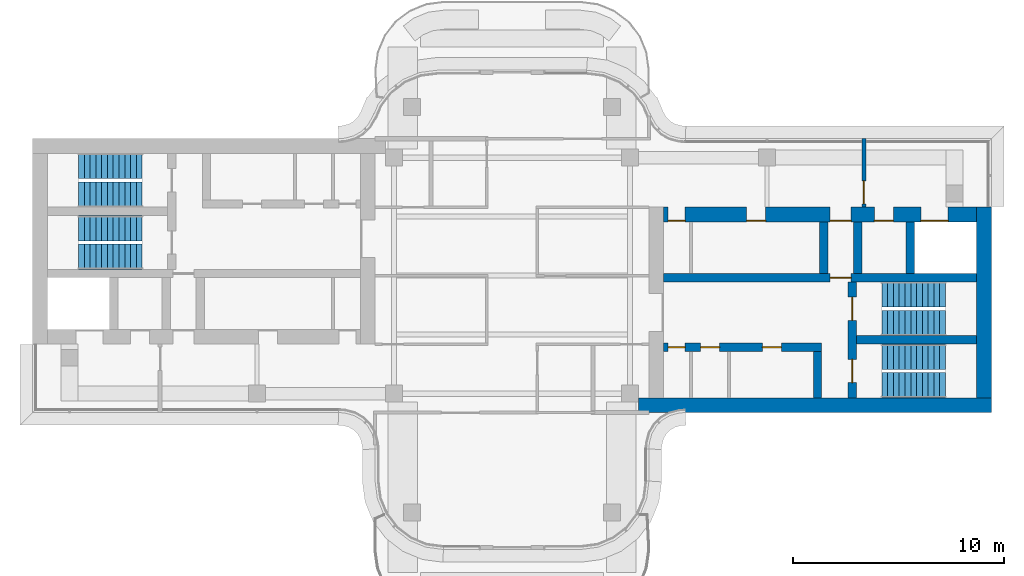
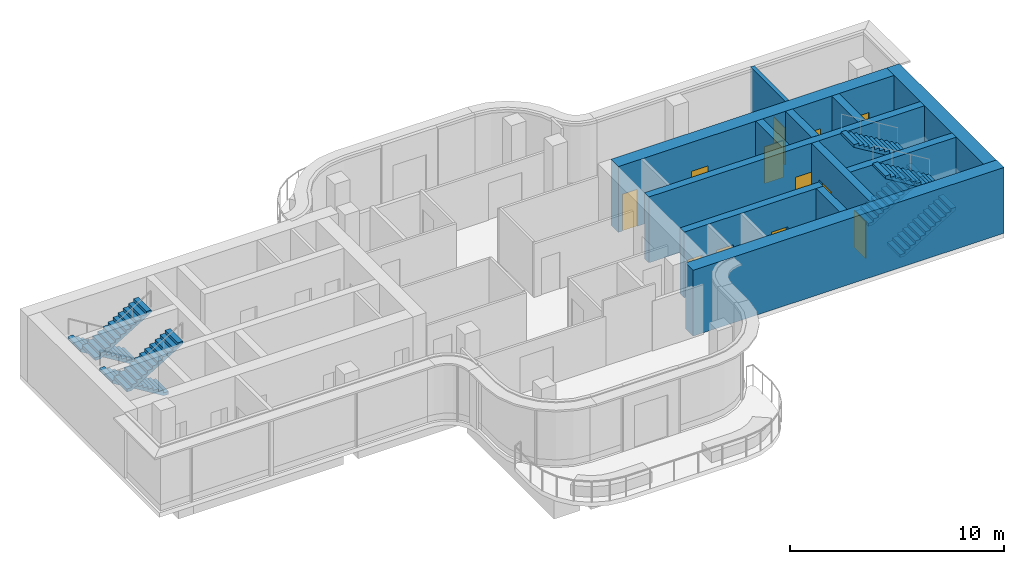
# One storey, part 8 of 9: 12 doors, 12 walls, 8 stair flights, 12 openings, 4 elements without a shape of their own.
"""IFC4 building model written with IfcOpenShell, lengths in metres."""

from ifc_helpers import new_model, si_unit, direction, frame, frame_2d, origin, place, context, subcontext, project, spatial, polyline, rectangle, outline, extrude, source, transform, mapped, material, layer, layer_set, type_object, element, fill, aggregate, save


model = new_model("IFC4")

# Units and contexts
model_context = context("Model", 3, precision=1e-05, world=origin(), true_north=direction((0.0, 1.0)))
body_context = subcontext(model_context, "Body", "Model", "MODEL_VIEW")
ifc_project = project(units=[si_unit("LENGTHUNIT", "METRE"), si_unit("AREAUNIT", "SQUARE_METRE"), si_unit("VOLUMEUNIT", "CUBIC_METRE"), si_unit("PLANEANGLEUNIT", "RADIAN"), si_unit("MASSUNIT", "GRAM", prefix="KILO")], contexts=[model_context])

# Site, building, storey
site_placement = place(None, origin())
site = spatial("IfcSite", under=ifc_project, at=site_placement, CompositionType="ELEMENT")
building_placement = place(site_placement, origin())
building = spatial("IfcBuilding", under=site, at=building_placement, Name="Trellis Farm Tower", CompositionType="ELEMENT")
storey_placement = place(building_placement, frame((0.0, 0.0, 354.10009765625)))
storey = spatial("IfcBuildingStorey", under=building, at=storey_placement, Name="L80", CompositionType="ELEMENT", Elevation=354.10009765625)

# Walls
ifc_material_1 = material(Name="Concrete C50/60", Category="concrete")
ifc_layer_1 = layer(ifc_material_1, 0.699951171875)
ifc_layer_set_1 = layer_set([ifc_layer_1], Name="CORE OUTER WALL 700 CONCRETE C50/60")
wall_type_1 = type_object("IfcWallType", Name="CORE OUTER WALL 700 CONCRETE C50/60", PredefinedType="SHEAR", material=ifc_layer_set_1)
shared_shape_1 = source(origin(), body_context, "Body", "SweptSolid", [
    extrude(rectangle(XDim=9.050048828125, YDim=0.699951171875, at=frame_2d((4.52490234375, 0.0))), origin(), (0.0, 0.0, 1.0), 3.75),
])
wall_1_placement = place(storey_placement, frame((22.39990234375, -5.800048828125, 0.0), z_axis=(0.0, 0.0, 1.0), x_axis=(0.0, 1.0, 0.0)))
element("IfcWall", 1, at=wall_1_placement, inside=storey, type_object=wall_type_1, Name="Core wall", PredefinedType="SHEAR", context=body_context, shape_type="MappedRepresentation", body=[
    mapped(shared_shape_1, transform((0.0, 0.0, 0.0))),
])
ifc_layer_2 = layer(ifc_material_1, 0.39990234375)
ifc_layer_set_2 = layer_set([ifc_layer_2], Name="CORE INNER WALL 400 CONCRETE C50/60")
wall_type_2 = type_object("IfcWallType", Name="CORE INNER WALL 400 CONCRETE C50/60", PredefinedType="SHEAR", material=ifc_layer_set_2)
shared_shape_2 = source(origin(), body_context, "Body", "SweptSolid", [
    extrude(rectangle(XDim=2.449951171875, YDim=0.39990234375, at=frame_2d((1.22509765625, 0.0))), origin(), (0.0, 0.0, 1.0), 3.75),
])
for number, where, z_axis, x_axis, name in (
    (2, (14.800048828125, 0.10009765625, 0.0), (0.0, 0.0, 1.0), (0.0, 1.0, 0.0), "Core wall"),
    (3, (16.39990234375, 0.10009765625, 0.0), (0.0, 0.0, 1.0), (0.0, 1.0, 0.0), "Core wall"),
    (4, (18.89990234375, 0.10009765625, 0.0), (0.0, 0.0, 1.0), (0.0, 1.0, 0.0), "Core wall"),
):
    element("IfcWall", number, at=place(storey_placement, frame(where, z_axis=z_axis, x_axis=x_axis)), inside=storey, type_object=wall_type_2, Name=name, PredefinedType="SHEAR", context=body_context, shape_type="MappedRepresentation", body=[
        mapped(shared_shape_2, transform((0.0, 0.0, 0.0))),
    ])

# Wall, openings, doors
shared_shape_3 = source(origin(), body_context, "Body", "SweptSolid", [
    extrude(rectangle(XDim=14.85009765625, YDim=0.699951171875, at=frame_2d((7.425048828125, 0.0))), origin(), (0.0, 0.0, 1.0), 3.75),
])
wall_2_placement = place(storey_placement, frame((7.199951171875, 2.89990234375, 0.0), z_axis=(0.0, 0.0, 1.0), x_axis=(1.0, 0.0, 0.0)))
wall_2 = element("IfcWall", 5, at=wall_2_placement, inside=storey, type_object=wall_type_1, Name="Core wall", PredefinedType="SHEAR", context=body_context, shape_type="MappedRepresentation", body=[
    mapped(shared_shape_3, transform((0.0, 0.0, 0.0))),
])
shared_shape_4 = source(origin(), body_context, "Body", "SweptSolid", [
    extrude(rectangle(XDim=1.300048828125, YDim=2.10009765625, at=frame_2d((0.64990234375, 1.050048828125))), frame((0.0, 0.360107421875, 0.0), z_axis=(0.0, -1.0, 0.0), x_axis=(1.0, 0.0, 0.0)), (0.0, 0.0, 1.0), 0.72021484375),
])
opening_1_placement = place(wall_2_placement, frame((12.199951171875, 0.0, 0.0)))
opening_1 = element("IfcOpeningElement", 6, at=opening_1_placement, cuts=wall_2, Name="Opening LD7", PredefinedType="OPENING", context=body_context, shape_type="MappedRepresentation", body=[
    mapped(shared_shape_4, transform((0.0, 0.0, 0.0))),
])
shared_shape_5 = source(origin(), body_context, "Body", "SweptSolid", [
    extrude(rectangle(XDim=1.0, YDim=2.10009765625, at=frame_2d((0.5, 1.050048828125))), frame((0.0, 0.360107421875, 0.0), z_axis=(0.0, -1.0, 0.0), x_axis=(1.0, 0.0, 0.0)), (0.0, 0.0, 1.0), 0.72021484375),
])
opening_2_placement = place(wall_2_placement, frame((7.89990234375, 0.0, 0.0)))
opening_2 = element("IfcOpeningElement", 7, at=opening_2_placement, cuts=wall_2, Name="Opening DC6", PredefinedType="OPENING", context=body_context, shape_type="MappedRepresentation", body=[
    mapped(shared_shape_5, transform((0.0, 0.0, 0.0))),
])
shared_shape_6 = source(origin(), body_context, "Body", "SweptSolid", [
    extrude(rectangle(XDim=0.800048828125, YDim=2.10009765625, at=frame_2d((0.39990234375, 1.050048828125))), frame((0.0, 0.360107421875, 0.0), z_axis=(0.0, -1.0, 0.0), x_axis=(1.0, 0.0, 0.0)), (0.0, 0.0, 1.0), 0.72021484375),
])
opening_3_placement = place(wall_2_placement, frame((0.21240234375, 0.0, 0.0)))
opening_3 = element("IfcOpeningElement", 8, at=opening_3_placement, cuts=wall_2, Name="Opening DC10", PredefinedType="OPENING", context=body_context, shape_type="MappedRepresentation", body=[
    mapped(shared_shape_6, transform((0.0, 0.0, 0.0))),
])
shared_shape_7 = source(origin(), body_context, "Body", "SweptSolid", [
    extrude(rectangle(XDim=0.89990234375, YDim=2.10009765625, at=frame_2d((0.449951171875, 1.050048828125))), frame((0.0, 0.360107421875, 0.0), z_axis=(0.0, -1.0, 0.0), x_axis=(1.0, 0.0, 0.0)), (0.0, 0.0, 1.0), 0.72021484375),
])
opening_4_placement = place(wall_2_placement, frame((3.9375, 0.0, 0.0)))
opening_4 = element("IfcOpeningElement", 9, at=opening_4_placement, cuts=wall_2, Name="Opening DC17", PredefinedType="OPENING", context=body_context, shape_type="MappedRepresentation", body=[
    mapped(shared_shape_7, transform((0.0, 0.0, 0.0))),
])
opening_5_placement = place(wall_2_placement, frame((10.0, 0.0, 0.0)))
opening_5 = element("IfcOpeningElement", 10, at=opening_5_placement, cuts=wall_2, Name="Opening DC48", PredefinedType="OPENING", context=body_context, shape_type="MappedRepresentation", body=[
    mapped(shared_shape_7, transform((0.0, 0.0, 0.0))),
])
ifc_material_2 = material(Name="Steel", Category="steel")
door_type_1 = type_object("IfcDoorType", Name="CORE FIRE DOOR 1000 X 2100", OperationType="NOTDEFINED", PredefinedType="DOOR", material=ifc_material_2)
shared_shape_8 = source(origin(), body_context, "Body", "SweptSolid", [
    extrude(rectangle(XDim=1.0, YDim=2.10009765625, at=frame_2d((0.5, 1.050048828125))), frame((0.0, -0.27490234375, 0.0), z_axis=(0.0, -1.0, 0.0), x_axis=(1.0, 0.0, 0.0)), (0.0, 0.0, 1.0), 0.050048828125),
])
door_1_placement = place(opening_2_placement, origin())
door_1 = element("IfcDoor", 11, at=door_1_placement, inside=storey, type_object=door_type_1, Name="Core door", OperationType="SINGLE_SWING_LEFT", OverallHeight=2.10009765625, OverallWidth=1.0, PredefinedType="DOOR", context=body_context, shape_type="MappedRepresentation", body=[
    mapped(shared_shape_8, transform((0.0, 0.0, 0.0))),
])
fill(opening_2, door_1)
door_type_2 = type_object("IfcDoorType", Name="CORE FIRE DOOR 900 X 2100", OperationType="NOTDEFINED", PredefinedType="DOOR", material=ifc_material_2)
shared_shape_9 = source(origin(), body_context, "Body", "SweptSolid", [
    extrude(rectangle(XDim=0.89990234375, YDim=2.10009765625, at=frame_2d((0.449951171875, 1.050048828125))), frame((0.0, -0.27490234375, 0.0), z_axis=(0.0, -1.0, 0.0), x_axis=(1.0, 0.0, 0.0)), (0.0, 0.0, 1.0), 0.050048828125),
])
door_2_placement = place(opening_4_placement, origin())
door_2 = element("IfcDoor", 12, at=door_2_placement, inside=storey, type_object=door_type_2, Name="Core door", OperationType="SINGLE_SWING_LEFT", OverallHeight=2.10009765625, OverallWidth=0.89990234375, PredefinedType="DOOR", context=body_context, shape_type="MappedRepresentation", body=[
    mapped(shared_shape_9, transform((0.0, 0.0, 0.0))),
])
fill(opening_4, door_2)
door_3_placement = place(opening_5_placement, origin())
door_3 = element("IfcDoor", 13, at=door_3_placement, inside=storey, type_object=door_type_2, Name="Core door", OperationType="SINGLE_SWING_RIGHT", OverallHeight=2.10009765625, OverallWidth=0.89990234375, PredefinedType="DOOR", context=body_context, shape_type="MappedRepresentation", body=[
    mapped(shared_shape_9, transform((0.0, 0.0, 0.0))),
])
fill(opening_5, door_3)
ifc_material_3 = material(Name="Stainless steel", Category="steel")
door_type_3 = type_object("IfcDoorType", Name="LIFT LANDING DOOR 1300 X 2100", OperationType="DOUBLE_DOOR_SLIDING", PredefinedType="DOOR", material=ifc_material_3)
shared_shape_10 = source(origin(), body_context, "Body", "SweptSolid", [
    extrude(rectangle(XDim=1.300048828125, YDim=2.10009765625, at=frame_2d((0.64990234375, 1.050048828125))), frame((0.0, -0.27490234375, 0.0), z_axis=(0.0, -1.0, 0.0), x_axis=(1.0, 0.0, 0.0)), (0.0, 0.0, 1.0), 0.050048828125),
])
door_4_placement = place(opening_1_placement, origin())
door_4 = element("IfcDoor", 14, at=door_4_placement, inside=storey, type_object=door_type_3, Name="Lift landing door", OperationType="DOUBLE_DOOR_SLIDING", OverallHeight=2.10009765625, OverallWidth=1.300048828125, PredefinedType="DOOR", context=body_context, shape_type="MappedRepresentation", body=[
    mapped(shared_shape_10, transform((0.0, 0.0, 0.0))),
])
fill(opening_1, door_4)
door_type_4 = type_object("IfcDoorType", Name="CORE FIRE DOOR 800 X 2100", OperationType="NOTDEFINED", PredefinedType="DOOR", material=ifc_material_2)
shared_shape_11 = source(origin(), body_context, "Body", "SweptSolid", [
    extrude(rectangle(XDim=0.800048828125, YDim=2.10009765625, at=frame_2d((0.39990234375, 1.050048828125))), frame((0.0, -0.27490234375, 0.0), z_axis=(0.0, -1.0, 0.0), x_axis=(1.0, 0.0, 0.0)), (0.0, 0.0, 1.0), 0.050048828125),
])
door_5_placement = place(opening_3_placement, origin())
door_5 = element("IfcDoor", 15, at=door_5_placement, inside=storey, type_object=door_type_4, Name="Core door", OperationType="SINGLE_SWING_RIGHT", OverallHeight=2.10009765625, OverallWidth=0.800048828125, PredefinedType="DOOR", context=body_context, shape_type="MappedRepresentation", body=[
    mapped(shared_shape_11, transform((0.0, 0.0, 0.0))),
])
fill(opening_3, door_5)

shared_shape_12 = source(origin(), body_context, "Body", "SweptSolid", [
    extrude(rectangle(XDim=7.5, YDim=0.39990234375, at=frame_2d((3.75, 0.0))), origin(), (0.0, 0.0, 1.0), 3.75),
])
wall_3_placement = place(storey_placement, frame((7.199951171875, -3.39990234375, 0.0), z_axis=(0.0, 0.0, 1.0), x_axis=(1.0, 0.0, 0.0)))
wall_3 = element("IfcWall", 16, at=wall_3_placement, inside=storey, type_object=wall_type_2, Name="Core wall", PredefinedType="SHEAR", context=body_context, shape_type="MappedRepresentation", body=[
    mapped(shared_shape_12, transform((0.0, 0.0, 0.0))),
])
shared_shape_13 = source(origin(), body_context, "Body", "SweptSolid", [
    extrude(rectangle(XDim=0.800048828125, YDim=2.10009765625, at=frame_2d((0.39990234375, 1.050048828125))), frame((0.0, 0.2099609375, 0.0), z_axis=(0.0, -1.0, 0.0), x_axis=(1.0, 0.0, 0.0)), (0.0, 0.0, 1.0), 0.419921875),
])
opening_6_placement = place(wall_3_placement, frame((0.21240234375, 0.0, 0.0)))
opening_6 = element("IfcOpeningElement", 17, at=opening_6_placement, cuts=wall_3, Name="Opening DC51", PredefinedType="OPENING", context=body_context, shape_type="MappedRepresentation", body=[
    mapped(shared_shape_13, transform((0.0, 0.0, 0.0))),
])
shared_shape_14 = source(origin(), body_context, "Body", "SweptSolid", [
    extrude(rectangle(XDim=0.89990234375, YDim=2.10009765625, at=frame_2d((0.449951171875, 1.050048828125))), frame((0.0, 0.2099609375, 0.0), z_axis=(0.0, -1.0, 0.0), x_axis=(1.0, 0.0, 0.0)), (0.0, 0.0, 1.0), 0.419921875),
])
opening_7_placement = place(wall_3_placement, frame((1.75, 0.0, 0.0)))
opening_7 = element("IfcOpeningElement", 18, at=opening_7_placement, cuts=wall_3, Name="Opening DC60", PredefinedType="OPENING", context=body_context, shape_type="MappedRepresentation", body=[
    mapped(shared_shape_14, transform((0.0, 0.0, 0.0))),
])
opening_8_placement = place(wall_3_placement, frame((4.6875, 0.0, 0.0)))
opening_8 = element("IfcOpeningElement", 19, at=opening_8_placement, cuts=wall_3, Name="Opening DC65", PredefinedType="OPENING", context=body_context, shape_type="MappedRepresentation", body=[
    mapped(shared_shape_14, transform((0.0, 0.0, 0.0))),
])
shared_shape_15 = source(origin(), body_context, "Body", "SweptSolid", [
    extrude(rectangle(XDim=0.89990234375, YDim=2.10009765625, at=frame_2d((0.449951171875, 1.050048828125))), frame((0.0, 0.02490234375, 0.0), z_axis=(0.0, -1.0, 0.0), x_axis=(1.0, 0.0, 0.0)), (0.0, 0.0, 1.0), 0.050048828125),
])
door_6_placement = place(opening_7_placement, origin())
door_6 = element("IfcDoor", 20, at=door_6_placement, inside=storey, type_object=door_type_2, Name="Core door", OperationType="SINGLE_SWING_RIGHT", OverallHeight=2.10009765625, OverallWidth=0.89990234375, PredefinedType="DOOR", context=body_context, shape_type="MappedRepresentation", body=[
    mapped(shared_shape_15, transform((0.0, 0.0, 0.0))),
])
fill(opening_7, door_6)
door_7_placement = place(opening_8_placement, origin())
door_7 = element("IfcDoor", 21, at=door_7_placement, inside=storey, type_object=door_type_2, Name="Core door", OperationType="SINGLE_SWING_LEFT", OverallHeight=2.10009765625, OverallWidth=0.89990234375, PredefinedType="DOOR", context=body_context, shape_type="MappedRepresentation", body=[
    mapped(shared_shape_15, transform((0.0, 0.0, 0.0))),
])
fill(opening_8, door_7)
shared_shape_16 = source(origin(), body_context, "Body", "SweptSolid", [
    extrude(rectangle(XDim=0.800048828125, YDim=2.10009765625, at=frame_2d((0.39990234375, 1.050048828125))), frame((0.0, 0.02490234375, 0.0), z_axis=(0.0, -1.0, 0.0), x_axis=(1.0, 0.0, 0.0)), (0.0, 0.0, 1.0), 0.050048828125),
])
door_8_placement = place(opening_6_placement, origin())
door_8 = element("IfcDoor", 22, at=door_8_placement, inside=storey, type_object=door_type_4, Name="Core door", OperationType="SINGLE_SWING_LEFT", OverallHeight=2.10009765625, OverallWidth=0.800048828125, PredefinedType="DOOR", context=body_context, shape_type="MappedRepresentation", body=[
    mapped(shared_shape_16, transform((0.0, 0.0, 0.0))),
])
fill(opening_6, door_8)

# Wall, opening, door
shared_shape_17 = source(origin(), body_context, "Body", "SweptSolid", [
    extrude(rectangle(XDim=14.85009765625, YDim=0.39990234375, at=frame_2d((7.425048828125, 0.0))), origin(), (0.0, 0.0, 1.0), 3.75),
])
wall_4_placement = place(storey_placement, frame((7.199951171875, -0.10009765625, 0.0), z_axis=(0.0, 0.0, 1.0), x_axis=(1.0, 0.0, 0.0)))
wall_4 = element("IfcWall", 23, at=wall_4_placement, inside=storey, type_object=wall_type_2, Name="Core wall", PredefinedType="SHEAR", context=body_context, shape_type="MappedRepresentation", body=[
    mapped(shared_shape_17, transform((0.0, 0.0, 0.0))),
])
shared_shape_18 = source(origin(), body_context, "Body", "SweptSolid", [
    extrude(rectangle(XDim=1.0, YDim=2.10009765625, at=frame_2d((0.5, 1.050048828125))), frame((0.0, 0.2099609375, 0.0), z_axis=(0.0, -1.0, 0.0), x_axis=(1.0, 0.0, 0.0)), (0.0, 0.0, 1.0), 0.419921875),
])
opening_9_placement = place(wall_4_placement, frame((7.89990234375, 0.0, 0.0)))
opening_9 = element("IfcOpeningElement", 24, at=opening_9_placement, cuts=wall_4, Name="Opening DC5", PredefinedType="OPENING", context=body_context, shape_type="MappedRepresentation", body=[
    mapped(shared_shape_18, transform((0.0, 0.0, 0.0))),
])
shared_shape_19 = source(origin(), body_context, "Body", "SweptSolid", [
    extrude(rectangle(XDim=1.0, YDim=2.10009765625, at=frame_2d((0.5, 1.050048828125))), frame((0.0, 0.02490234375, 0.0), z_axis=(0.0, -1.0, 0.0), x_axis=(1.0, 0.0, 0.0)), (0.0, 0.0, 1.0), 0.050048828125),
])
door_9_placement = place(opening_9_placement, origin())
door_9 = element("IfcDoor", 25, at=door_9_placement, inside=storey, type_object=door_type_1, Name="Core door", OperationType="SINGLE_SWING_RIGHT", OverallHeight=2.10009765625, OverallWidth=1.0, PredefinedType="DOOR", context=body_context, shape_type="MappedRepresentation", body=[
    mapped(shared_shape_19, transform((0.0, 0.0, 0.0))),
])
fill(opening_9, door_9)

# Wall, openings, doors
shared_shape_20 = source(origin(), body_context, "Body", "SweptSolid", [
    extrude(rectangle(XDim=5.5, YDim=0.39990234375, at=frame_2d((2.75, 0.0))), origin(), (0.0, 0.0, 1.0), 3.75),
])
wall_5_placement = place(storey_placement, frame((16.14990234375, -5.800048828125, 0.0), z_axis=(0.0, 0.0, 1.0), x_axis=(0.0, 1.0, 0.0)))
wall_5 = element("IfcWall", 26, at=wall_5_placement, inside=storey, type_object=wall_type_2, Name="Core wall", PredefinedType="SHEAR", context=body_context, shape_type="MappedRepresentation", body=[
    mapped(shared_shape_20, transform((0.0, 0.0, 0.0))),
])
shared_shape_21 = source(origin(), body_context, "Body", "SweptSolid", [
    extrude(rectangle(XDim=1.10009765625, YDim=2.10009765625, at=frame_2d((0.550048828125, 1.050048828125))), frame((0.0, 0.2099609375, 0.0), z_axis=(0.0, -1.0, 0.0), x_axis=(1.0, 0.0, 0.0)), (0.0, 0.0, 1.0), 0.419921875),
])
opening_10_placement = place(wall_5_placement, frame((0.72509765625, 0.0, 0.0)))
opening_10 = element("IfcOpeningElement", 27, at=opening_10_placement, cuts=wall_5, Name="Opening DC2", PredefinedType="OPENING", context=body_context, shape_type="MappedRepresentation", body=[
    mapped(shared_shape_21, transform((0.0, 0.0, 0.0))),
])
opening_11_placement = place(wall_5_placement, frame((3.675048828125, 0.0, 0.0)))
opening_11 = element("IfcOpeningElement", 28, at=opening_11_placement, cuts=wall_5, Name="Opening DC3", PredefinedType="OPENING", context=body_context, shape_type="MappedRepresentation", body=[
    mapped(shared_shape_21, transform((0.0, 0.0, 0.0))),
])
door_type_5 = type_object("IfcDoorType", Name="CORE FIRE DOOR 1100 X 2100", OperationType="NOTDEFINED", PredefinedType="DOOR", material=ifc_material_2)
shared_shape_22 = source(origin(), body_context, "Body", "SweptSolid", [
    extrude(rectangle(XDim=1.10009765625, YDim=2.10009765625, at=frame_2d((0.550048828125, 1.050048828125))), frame((0.0, 0.02490234375, 0.0), z_axis=(0.0, -1.0, 0.0), x_axis=(1.0, 0.0, 0.0)), (0.0, 0.0, 1.0), 0.050048828125),
])
door_10_placement = place(opening_10_placement, origin())
door_10 = element("IfcDoor", 29, at=door_10_placement, inside=storey, type_object=door_type_5, Name="Core door", OperationType="SINGLE_SWING_RIGHT", OverallHeight=2.10009765625, OverallWidth=1.10009765625, PredefinedType="DOOR", context=body_context, shape_type="MappedRepresentation", body=[
    mapped(shared_shape_22, transform((0.0, 0.0, 0.0))),
])
fill(opening_10, door_10)
door_11_placement = place(opening_11_placement, origin())
door_11 = element("IfcDoor", 30, at=door_11_placement, inside=storey, type_object=door_type_5, Name="Core door", OperationType="SINGLE_SWING_LEFT", OverallHeight=2.10009765625, OverallWidth=1.10009765625, PredefinedType="DOOR", context=body_context, shape_type="MappedRepresentation", body=[
    mapped(shared_shape_22, transform((0.0, 0.0, 0.0))),
])
fill(opening_11, door_11)

# Walls
shared_shape_23 = source(origin(), body_context, "Body", "SweptSolid", [
    extrude(rectangle(XDim=5.699951171875, YDim=0.39990234375, at=frame_2d((2.85009765625, 0.0))), origin(), (0.0, 0.0, 1.0), 3.75),
])
wall_6_placement = place(storey_placement, frame((16.35009765625, -3.050048828125, 0.0), z_axis=(0.0, 0.0, 1.0), x_axis=(1.0, 0.0, 0.0)))
element("IfcWall", 31, at=wall_6_placement, inside=storey, type_object=wall_type_2, Name="Core wall", PredefinedType="SHEAR", context=body_context, shape_type="MappedRepresentation", body=[
    mapped(shared_shape_23, transform((0.0, 0.0, 0.0))),
])
shared_shape_24 = source(origin(), body_context, "Body", "SweptSolid", [
    extrude(rectangle(XDim=2.199951171875, YDim=0.39990234375, at=frame_2d((1.10009765625, 0.0))), origin(), (0.0, 0.0, 1.0), 3.75),
])
wall_7_placement = place(storey_placement, frame((14.5, -5.800048828125, 0.0), z_axis=(0.0, 0.0, 1.0), x_axis=(0.0, 1.0, 0.0)))
element("IfcWall", 32, at=wall_7_placement, inside=storey, type_object=wall_type_2, Name="Core wall", PredefinedType="SHEAR", context=body_context, shape_type="MappedRepresentation", body=[
    mapped(shared_shape_24, transform((0.0, 0.0, 0.0))),
])

# Wall, opening, door
ifc_material_4 = material(Name="Masonry blockwork", Category="masonry")
ifc_layer_3 = layer(ifc_material_4, 0.199951171875)
ifc_layer_set_3 = layer_set([ifc_layer_3], Name="FIRE LOBBY PARTITION 200 BLOCKWORK")
wall_type_3 = type_object("IfcWallType", Name="FIRE LOBBY PARTITION 200 BLOCKWORK", PredefinedType="PARTITIONING", material=ifc_layer_set_3)
shared_shape_25 = source(origin(), body_context, "Body", "SweptSolid", [
    extrude(rectangle(XDim=3.25, YDim=0.199951171875, at=frame_2d((1.625, 0.0))), origin(), (0.0, 0.0, 1.0), 3.75),
])
wall_8_placement = place(storey_placement, frame((16.699951171875, 3.25, 0.0), z_axis=(0.0, 0.0, 1.0), x_axis=(0.0, 1.0, 0.0)))
wall_8 = element("IfcWall", 33, at=wall_8_placement, inside=storey, type_object=wall_type_3, Name="Fire-fighting lobby partition", PredefinedType="PARTITIONING", context=body_context, shape_type="MappedRepresentation", body=[
    mapped(shared_shape_25, transform((0.0, 0.0, 0.0))),
])
shared_shape_26 = source(origin(), body_context, "Body", "SweptSolid", [
    extrude(rectangle(XDim=1.10009765625, YDim=2.10009765625, at=frame_2d((0.550048828125, 1.050048828125))), frame((0.0, 0.110107421875, 0.0), z_axis=(0.0, -1.0, 0.0), x_axis=(1.0, 0.0, 0.0)), (0.0, 0.0, 1.0), 0.22021484375),
])
opening_12_placement = place(wall_8_placement, frame((0.14990234375, 0.0, 0.0)))
opening_12 = element("IfcOpeningElement", 34, at=opening_12_placement, cuts=wall_8, Name="Opening DC7", PredefinedType="OPENING", context=body_context, shape_type="MappedRepresentation", body=[
    mapped(shared_shape_26, transform((0.0, 0.0, 0.0))),
])
door_12_placement = place(opening_12_placement, origin())
door_12 = element("IfcDoor", 35, at=door_12_placement, inside=storey, type_object=door_type_5, Name="Core door", OperationType="SINGLE_SWING_RIGHT", OverallHeight=2.10009765625, OverallWidth=1.10009765625, PredefinedType="DOOR", context=body_context, shape_type="MappedRepresentation", body=[
    mapped(shared_shape_22, transform((0.0, 0.0, 0.0))),
])
fill(opening_12, door_12)

# Wall
shared_shape_27 = source(origin(), body_context, "Body", "SweptSolid", [
    extrude(rectangle(XDim=16.75, YDim=0.699951171875, at=frame_2d((8.375, 0.0))), origin(), (0.0, 0.0, 1.0), 3.75),
])
wall_9_placement = place(storey_placement, frame((6.0, -6.14990234375, 0.0), z_axis=(0.0, 0.0, 1.0), x_axis=(1.0, 0.0, 0.0)))
element("IfcWall", 36, at=wall_9_placement, inside=storey, type_object=wall_type_1, Name="Core wall", PredefinedType="SHEAR", context=body_context, shape_type="MappedRepresentation", body=[
    mapped(shared_shape_27, transform((0.0, 0.0, 0.0))),
])

# Stair, stair flights
stair_type = type_object("IfcStairType", Name="CORE EXIT STAIR 24 RISERS 167 MM", PredefinedType="HALF_TURN_STAIR", material=ifc_material_1)
placement = place(storey_placement, origin())
stair_1 = element("IfcStair", 37, at=placement, inside=storey, type_object=stair_type, Name="Exit stair E1", PredefinedType="HALF_TURN_STAIR")
stair_flight_type = type_object("IfcStairFlightType", Name="STAIR FLIGHT 12 RISERS 167 MM", PredefinedType="STRAIGHT", material=ifc_material_1)
shared_shape_28 = source(origin(), body_context, "Body", "SweptSolid", [
    extrude(outline(polyline([(0.0, 0.0), (0.0, 0.166748046875), (0.27490234375, 0.166748046875), (0.27490234375, 0.333251953125), (0.550048828125, 0.333251953125), (0.550048828125, 0.5), (0.824951171875, 0.5), (0.824951171875, 0.666748046875), (1.10009765625, 0.666748046875), (1.10009765625, 0.833251953125), (1.375, 0.833251953125), (1.375, 1.0), (1.64990234375, 1.0), (1.64990234375, 1.166748046875), (1.925048828125, 1.166748046875), (1.925048828125, 1.333251953125), (2.199951171875, 1.333251953125), (2.199951171875, 1.5), (2.47509765625, 1.5), (2.47509765625, 1.666748046875), (2.75, 1.666748046875), (2.75, 1.833251953125), (3.02490234375, 1.833251953125), (3.02490234375, 2.0), (3.02490234375, 1.681396484375), (0.25048828125, 0.0), (0.0, 0.0)])), frame((0.0, 0.60009765625, 0.0), z_axis=(0.0, -1.0, 0.0), x_axis=(1.0, 0.0, 0.0)), (0.0, 0.0, 1.0), 1.199951171875),
])
stair_flight_1_placement = place(storey_placement, frame((17.550048828125, -5.199951171875, 0.0), z_axis=(0.0, 0.0, 1.0), x_axis=(1.0, 0.0, 0.0)))
stair_flight_1 = element("IfcStairFlight", 38, at=stair_flight_1_placement, type_object=stair_flight_type, Name="STE1 flight 1", NumberOfRisers=12, NumberOfTreads=11, PredefinedType="STRAIGHT", RiserHeight=0.166666667, TreadLength=0.275, context=body_context, shape_type="MappedRepresentation", body=[
    mapped(shared_shape_28, transform((0.0, 0.0, 0.0))),
])
stair_flight_2_placement = place(storey_placement, frame((20.574951171875, -3.85009765625, 2.0), z_axis=(0.0, 0.0, 1.0), x_axis=(-1.0, 0.0, 0.0)))
stair_flight_2 = element("IfcStairFlight", 39, at=stair_flight_2_placement, type_object=stair_flight_type, Name="STE1 flight 2", NumberOfRisers=12, NumberOfTreads=11, PredefinedType="STRAIGHT", RiserHeight=0.166666667, TreadLength=0.275, context=body_context, shape_type="MappedRepresentation", body=[
    mapped(shared_shape_28, transform((0.0, 0.0, 0.0))),
])
aggregate(stair_1, [stair_flight_1, stair_flight_2])

stair_2 = element("IfcStair", 40, at=placement, inside=storey, type_object=stair_type, Name="Exit stair E2", PredefinedType="HALF_TURN_STAIR")
stair_flight_3_placement = place(storey_placement, frame((17.550048828125, -2.25, 0.0), z_axis=(0.0, 0.0, 1.0), x_axis=(1.0, 0.0, 0.0)))
stair_flight_3 = element("IfcStairFlight", 41, at=stair_flight_3_placement, type_object=stair_flight_type, Name="STE2 flight 1", NumberOfRisers=12, NumberOfTreads=11, PredefinedType="STRAIGHT", RiserHeight=0.166666667, TreadLength=0.275, context=body_context, shape_type="MappedRepresentation", body=[
    mapped(shared_shape_28, transform((0.0, 0.0, 0.0))),
])
stair_flight_4_placement = place(storey_placement, frame((20.574951171875, -0.89990234375, 2.0), z_axis=(0.0, 0.0, 1.0), x_axis=(-1.0, 0.0, 0.0)))
stair_flight_4 = element("IfcStairFlight", 42, at=stair_flight_4_placement, type_object=stair_flight_type, Name="STE2 flight 2", NumberOfRisers=12, NumberOfTreads=11, PredefinedType="STRAIGHT", RiserHeight=0.166666667, TreadLength=0.275, context=body_context, shape_type="MappedRepresentation", body=[
    mapped(shared_shape_28, transform((0.0, 0.0, 0.0))),
])
aggregate(stair_2, [stair_flight_3, stair_flight_4])

stair_3 = element("IfcStair", 43, at=placement, inside=storey, type_object=stair_type, Name="Exit stair W1", PredefinedType="HALF_TURN_STAIR")
stair_flight_5_placement = place(storey_placement, frame((-17.550048828125, 5.199951171875, 0.0), z_axis=(0.0, 0.0, 1.0), x_axis=(-1.0, 0.0, 0.0)))
stair_flight_5 = element("IfcStairFlight", 44, at=stair_flight_5_placement, type_object=stair_flight_type, Name="STW1 flight 1", NumberOfRisers=12, NumberOfTreads=11, PredefinedType="STRAIGHT", RiserHeight=0.166666667, TreadLength=0.275, context=body_context, shape_type="MappedRepresentation", body=[
    mapped(shared_shape_28, transform((0.0, 0.0, 0.0))),
])
stair_flight_6_placement = place(storey_placement, frame((-20.574951171875, 3.85009765625, 2.0), z_axis=(0.0, 0.0, 1.0), x_axis=(1.0, 0.0, 0.0)))
stair_flight_6 = element("IfcStairFlight", 45, at=stair_flight_6_placement, type_object=stair_flight_type, Name="STW1 flight 2", NumberOfRisers=12, NumberOfTreads=11, PredefinedType="STRAIGHT", RiserHeight=0.166666667, TreadLength=0.275, context=body_context, shape_type="MappedRepresentation", body=[
    mapped(shared_shape_28, transform((0.0, 0.0, 0.0))),
])
aggregate(stair_3, [stair_flight_5, stair_flight_6])

stair_4 = element("IfcStair", 46, at=placement, inside=storey, type_object=stair_type, Name="Exit stair W2", PredefinedType="HALF_TURN_STAIR")
stair_flight_7_placement = place(storey_placement, frame((-17.550048828125, 2.25, 0.0), z_axis=(0.0, 0.0, 1.0), x_axis=(-1.0, 0.0, 0.0)))
stair_flight_7 = element("IfcStairFlight", 47, at=stair_flight_7_placement, type_object=stair_flight_type, Name="STW2 flight 1", NumberOfRisers=12, NumberOfTreads=11, PredefinedType="STRAIGHT", RiserHeight=0.166666667, TreadLength=0.275, context=body_context, shape_type="MappedRepresentation", body=[
    mapped(shared_shape_28, transform((0.0, 0.0, 0.0))),
])
stair_flight_8_placement = place(storey_placement, frame((-20.574951171875, 0.89990234375, 2.0), z_axis=(0.0, 0.0, 1.0), x_axis=(1.0, 0.0, 0.0)))
stair_flight_8 = element("IfcStairFlight", 48, at=stair_flight_8_placement, type_object=stair_flight_type, Name="STW2 flight 2", NumberOfRisers=12, NumberOfTreads=11, PredefinedType="STRAIGHT", RiserHeight=0.166666667, TreadLength=0.275, context=body_context, shape_type="MappedRepresentation", body=[
    mapped(shared_shape_28, transform((0.0, 0.0, 0.0))),
])
aggregate(stair_4, [stair_flight_7, stair_flight_8])

save(model, "model.ifc")
